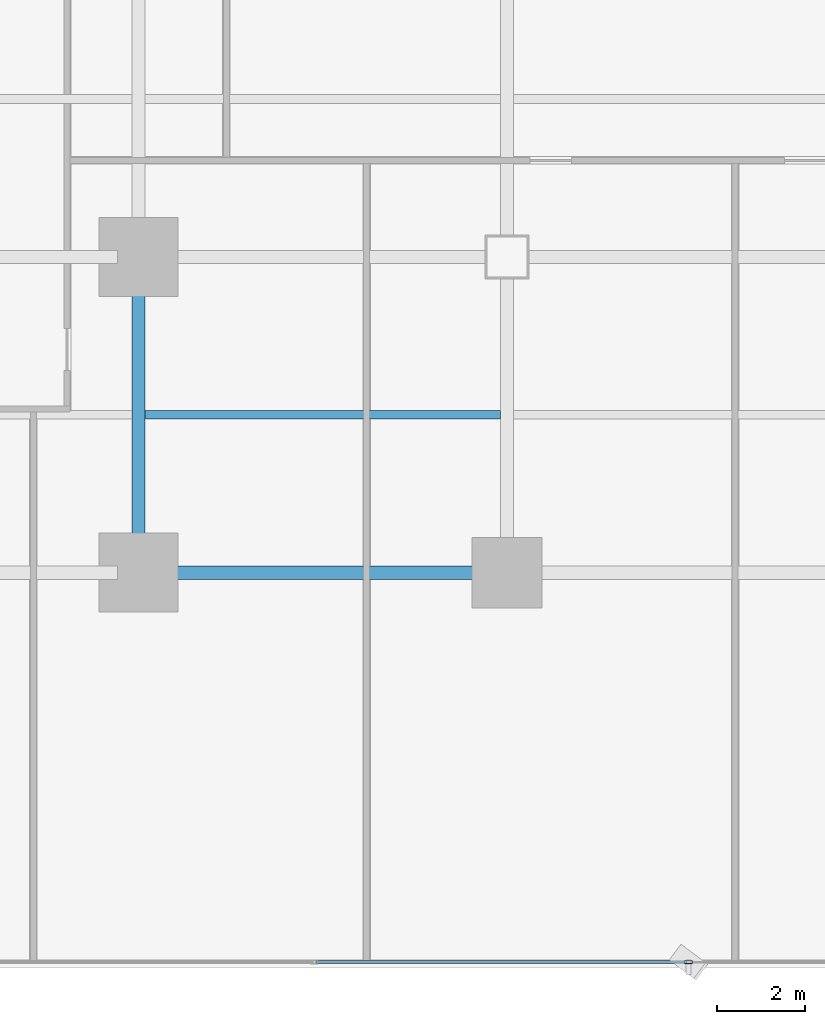
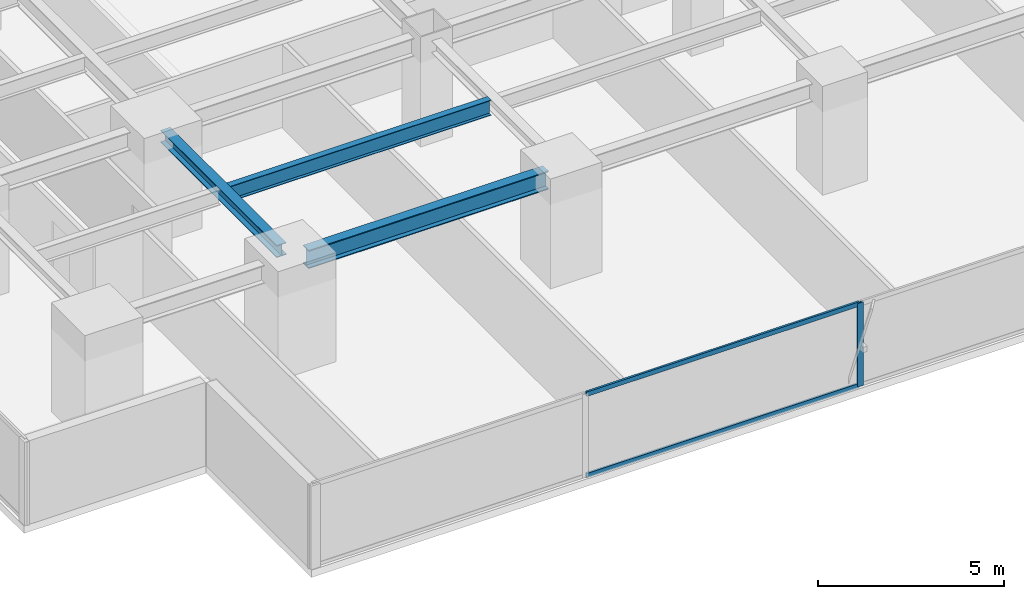
# One storey, part 4 of 34: 3 beams, 3 members, 1 element without a shape of its own.
"""IFC4 building model written with IfcOpenShell, lengths in metres."""

import ifcopenshell
import ifcopenshell.guid

model = None  # the IFC model being written
_history = None  # IfcOwnerHistory: only IFC2X3 demands one
_inside = {}  # id of a spatial element -> (the spatial element, [elements in it])
_under = {}  # id of a project, library or spatial element -> (it, [spatial elements below it])
_declared = {}  # id of a project -> (the project, [libraries it declares])
_typed = {}  # id of a type object -> (the type object, [elements of that type])
_made_of = {}  # id of a material, layer set ... -> (it, [elements and type objects made of it])


def new_model(schema):
    """Start an empty IFC model of exactly this schema.

    Asked for "IFC4X3", IfcOpenShell would pick the latest addendum, in which some entities
    have other attributes; the version numbers below select the first issue.
    IFC2X3 requires an IfcOwnerHistory on every rooted entity: one is made here for all.
    """
    global model, _history
    if schema == "IFC4X3":
        model = ifcopenshell.file(schema_version=(4, 3, 0, 0))
    else:
        model = ifcopenshell.file(schema=schema)
    _inside.clear()
    _under.clear()
    _declared.clear()
    _typed.clear()
    _made_of.clear()
    _history = None
    if model.schema == "IFC2X3":
        org = make("IfcOrganization", Name="unknown")
        user = make(
            "IfcPersonAndOrganization",
            ThePerson=make("IfcPerson", FamilyName="unknown"),
            TheOrganization=org,
        )
        app = make(
            "IfcApplication",
            ApplicationDeveloper=org,
            Version="unknown",
            ApplicationFullName="unknown",
            ApplicationIdentifier="unknown",
        )
        _history = make(
            "IfcOwnerHistory",
            OwningUser=user,
            OwningApplication=app,
            ChangeAction="ADDED",
            CreationDate=0,
        )
    return model


def make(cls, **values):
    """One entity of the class cls with the attributes given. An attribute that is None is left unset."""
    return model.create_entity(
        cls, **{name: value for name, value in values.items() if value is not None}
    )


def rooted(cls, **values):
    """An entity with a GlobalId (a new one), such as an element, a storey or a relation."""
    return make(cls, GlobalId=ifcopenshell.guid.new(), OwnerHistory=_history, **values)


def si_unit(unit_type, name, prefix=None):
    """IfcSIUnit, for example si_unit("LENGTHUNIT", "METRE", prefix="MILLI")."""
    return make("IfcSIUnit", UnitType=unit_type, Prefix=prefix, Name=name)


def assignment(units):
    """IfcUnitAssignment: the units of a project."""
    return None if units is None else make("IfcUnitAssignment", Units=units)


def point(xyz):
    """IfcCartesianPoint."""
    return None if xyz is None else make("IfcCartesianPoint", Coordinates=xyz)


def direction(xyz):
    """IfcDirection."""
    return None if xyz is None else make("IfcDirection", DirectionRatios=xyz)


def frame(location, z_axis=None, x_axis=None):
    """IfcAxis2Placement3D, a coordinate frame: its origin and axes. An axis left out is left unset."""
    return make(
        "IfcAxis2Placement3D",
        Location=point(location),
        Axis=direction(z_axis),
        RefDirection=direction(x_axis),
    )


def frame_2d(location, x_axis=None):
    """IfcAxis2Placement2D, a coordinate frame in the plane: its origin and x axis."""
    return make(
        "IfcAxis2Placement2D", Location=point(location), RefDirection=direction(x_axis)
    )


def origin():
    """The frame at (0, 0, 0) with its axes left unset."""
    return frame((0.0, 0.0, 0.0))


def origin_2d():
    """The frame at (0, 0) in the plane with its x axis left unset."""
    return frame_2d((0.0, 0.0))


def place(relative_to, where):
    """IfcLocalPlacement: puts the frame where relative to a parent placement (None: the world)."""
    return make(
        "IfcLocalPlacement", PlacementRelTo=relative_to, RelativePlacement=where
    )


def context(
    kind, dimensions, precision=None, world=None, true_north=None, identifier=None
):
    """IfcGeometricRepresentationContext, for example the 3D "Model" context."""
    return make(
        "IfcGeometricRepresentationContext",
        ContextIdentifier=identifier,
        ContextType=kind,
        CoordinateSpaceDimension=dimensions,
        Precision=precision,
        WorldCoordinateSystem=world,
        TrueNorth=true_north,
    )


def subcontext(parent, identifier, kind, view, scale=None):
    """IfcGeometricRepresentationSubContext, for example "Body" below "Model"."""
    return make(
        "IfcGeometricRepresentationSubContext",
        ContextIdentifier=identifier,
        ContextType=kind,
        ParentContext=parent,
        TargetScale=scale,
        TargetView=view,
    )


def project(units=None, contexts=None):
    """IfcProject with its units and contexts."""
    return rooted(
        "IfcProject",
        Name="project",
        RepresentationContexts=contexts,
        UnitsInContext=assignment(units),
    )


def spatial(cls, under=None, at=None, **own):
    """A site, building, storey or space (cls), placed at a placement, below another one or the project."""
    s = rooted(cls, ObjectPlacement=at, **own)
    if under is not None:
        _under.setdefault(under.id(), (under, []))[1].append(s)
    return s


def profile(cls, at=None, kind="AREA", **sizes):
    """A parametric profile (cls). Its sizes go by their IFC names, for example OverallWidth=200.0."""
    return make(cls, ProfileType=kind, Position=at, **sizes)


def hollow_rectangle(**sizes):
    """IfcRectangleHollowProfileDef."""
    return profile("IfcRectangleHollowProfileDef", **sizes)


def i_section(**sizes):
    """IfcIShapeProfileDef."""
    return profile("IfcIShapeProfileDef", **sizes)


def extrude(swept, where, along, depth):
    """IfcExtrudedAreaSolid: the profile swept, set in the frame where, extruded along a direction by depth."""
    return make(
        "IfcExtrudedAreaSolid",
        SweptArea=swept,
        Position=where,
        ExtrudedDirection=direction(along),
        Depth=depth,
    )


def shape(context_of_items, identifier, shape_type, items):
    """IfcShapeRepresentation: the items that make up one representation, for example the "Body"."""
    return make(
        "IfcShapeRepresentation",
        ContextOfItems=context_of_items,
        RepresentationIdentifier=identifier,
        RepresentationType=shape_type,
        Items=items,
    )


def source(mapping_origin, context_of_items, identifier, shape_type, items):
    """IfcRepresentationMap: a shape defined once, which mapped items show again and again."""
    return make(
        "IfcRepresentationMap",
        MappingOrigin=mapping_origin,
        MappedRepresentation=shape(context_of_items, identifier, shape_type, items),
    )


def transform(
    local_origin,
    x_axis=None,
    y_axis=None,
    z_axis=None,
    scale=None,
    scale2=None,
    scale3=None,
    uniform=True,
):
    """IfcCartesianTransformationOperator3D, or its non-uniform kind. x_axis, y_axis, z_axis: its Axis1, 2, 3."""
    if uniform:
        return make(
            "IfcCartesianTransformationOperator3D",
            Axis1=direction(x_axis),
            Axis2=direction(y_axis),
            LocalOrigin=point(local_origin),
            Scale=scale,
            Axis3=direction(z_axis),
        )
    return make(
        "IfcCartesianTransformationOperator3DnonUniform",
        Axis1=direction(x_axis),
        Axis2=direction(y_axis),
        LocalOrigin=point(local_origin),
        Scale=scale,
        Axis3=direction(z_axis),
        Scale2=scale2,
        Scale3=scale3,
    )


def mapped(mapping_source, mapping_target):
    """IfcMappedItem: shows the shape of a source again, moved by a transform."""
    return make(
        "IfcMappedItem", MappingSource=mapping_source, MappingTarget=mapping_target
    )


def material(Name=None, Category=None):
    """IfcMaterial."""
    return make("IfcMaterial", Name=Name, Category=Category)


def layer(
    of_material, thickness, ventilated=None, Name=None, Category=None, Priority=None
):
    """IfcMaterialLayer: one layer of a wall or slab, of a material (None: an air gap)."""
    return make(
        "IfcMaterialLayer",
        Material=of_material,
        LayerThickness=thickness,
        IsVentilated=ventilated,
        Name=Name,
        Category=Category,
        Priority=Priority,
    )


def layer_set(layers, Name=None):
    """IfcMaterialLayerSet."""
    return make("IfcMaterialLayerSet", MaterialLayers=layers, LayerSetName=Name)


def material_profile(
    of_material, cross_section, Name=None, Category=None, Priority=None
):
    """IfcMaterialProfile: a cross section and its material."""
    return make(
        "IfcMaterialProfile",
        Name=Name,
        Material=of_material,
        Profile=cross_section,
        Priority=Priority,
        Category=Category,
    )


def profile_set(profiles, Name=None, composite=None):
    """IfcMaterialProfileSet."""
    return make(
        "IfcMaterialProfileSet",
        Name=Name,
        MaterialProfiles=profiles,
        CompositeProfile=composite,
    )


def made_of(thing, what):
    """Note that an element or type object is made of a material, layer set ...; save() writes the relation."""
    if what is not None:
        _made_of.setdefault(what.id(), (what, []))[1].append(thing)
    return thing


def type_object(cls, material=None, **own):
    """A type object (cls), such as IfcWallType, which elements share."""
    return made_of(rooted(cls, **own), material)


def element(
    cls,
    number,
    at=None,
    inside=None,
    cuts=None,
    type_object=None,
    material=None,
    context=None,
    identifier="Body",
    shape_type=None,
    held_by="IfcProductDefinitionShape",
    body=None,
    shapes=None,
    **own,
):
    """One element of the class cls, such as IfcWall. Its Tag is "e" and its number.

    at: its placement. inside: the storey or other place that contains it. cuts: it is an
    opening in that element (IfcRelVoidsElement). A single representation is given by context,
    identifier, shape_type and body (its items); several are given by shapes. held_by: the class
    of the entity that holds the representations. save() writes the other relations.
    """
    e = rooted(cls, Tag="e%d" % number, ObjectPlacement=at, **own)
    if body is not None:
        shapes = [shape(context, identifier, shape_type, body)]
    if shapes is not None:
        e.Representation = make(held_by, Representations=shapes)
    if inside is not None:
        _inside.setdefault(inside.id(), (inside, []))[1].append(e)
    if cuts is not None:
        rooted(
            "IfcRelVoidsElement", RelatingBuildingElement=cuts, RelatedOpeningElement=e
        )
    if type_object is not None:
        _typed.setdefault(type_object.id(), (type_object, []))[1].append(e)
    return made_of(e, material)


def aggregate(whole, parts):
    """IfcRelAggregates: a whole, such as a stair, and the parts it consists of."""
    return rooted("IfcRelAggregates", RelatingObject=whole, RelatedObjects=parts)


def save(model, path):
    """Write the relations noted so far, then the file.

    IfcRelAggregates (storeys below a building ...), IfcRelContainedInSpatialStructure (elements
    in a storey), IfcRelDefinesByType, IfcRelAssociatesMaterial and IfcRelDeclares: one each for
    every whole, place, type object, material and project.
    """
    for whole, parts in _under.values():
        aggregate(whole, parts)
    for where, things in _inside.values():
        rooted(
            "IfcRelContainedInSpatialStructure",
            RelatedElements=things,
            RelatingStructure=where,
        )
    for kind, things in _typed.values():
        rooted("IfcRelDefinesByType", RelatedObjects=things, RelatingType=kind)
    for what, things in _made_of.values():
        rooted("IfcRelAssociatesMaterial", RelatedObjects=things, RelatingMaterial=what)
    for by, libraries in _declared.values():
        rooted("IfcRelDeclares", RelatingContext=by, RelatedDefinitions=libraries)
    model.write(path)


model = new_model("IFC4")

# Units and contexts
model_context = context("Model", 3, precision=1e-05, world=origin(), true_north=direction((0.0, 1.0)))
body_context = subcontext(model_context, "Body", "Model", "MODEL_VIEW")
ifc_project = project(units=[si_unit("LENGTHUNIT", "METRE"), si_unit("AREAUNIT", "SQUARE_METRE"), si_unit("VOLUMEUNIT", "CUBIC_METRE"), si_unit("PLANEANGLEUNIT", "RADIAN"), si_unit("MASSUNIT", "GRAM", prefix="KILO")], contexts=[model_context])

# Site, building, storey
site_placement = place(None, origin())
site = spatial("IfcSite", under=ifc_project, at=site_placement, CompositionType="ELEMENT")
building_placement = place(site_placement, origin())
building = spatial("IfcBuilding", under=site, at=building_placement, Name="Sumidabori Civic Tower", CompositionType="ELEMENT")
storey_placement = place(building_placement, frame((0.0, 0.0, 41.60009765625)))
storey = spatial("IfcBuildingStorey", under=building, at=storey_placement, Name="L10", CompositionType="ELEMENT", Elevation=41.60009765625)

# Beams
ifc_material_1 = material(Name="Steel SN490", Category="steel")
ifc_material_profile_1 = material_profile(ifc_material_1, i_section(OverallWidth=0.300048828125, OverallDepth=0.60009765625, WebThickness=0.015380859375, FlangeThickness=0.030029296875, at=origin_2d()), Name="HE 600 B")
ifc_profile_set_1 = profile_set([ifc_material_profile_1], Name="Steel SN490")
beam_type_1 = type_object("IfcBeamType", Name="BM-GIRD-600", PredefinedType="BEAM", material=ifc_profile_set_1)
shared_shape_1 = source(origin(), body_context, "Body", "SweptSolid", [
    extrude(i_section(OverallWidth=0.300048828125, OverallDepth=0.60009765625, WebThickness=0.015380859375, FlangeThickness=0.030029296875, at=origin_2d()), origin(), (0.0, 0.0, 1.0), 7.440185546875),
])
beam_1_placement = place(storey_placement, frame((-16.320068359375, -18.0, 3.059814453125), z_axis=(1.0, 0.0, 0.0), x_axis=(0.0, 1.0, 0.0)))
element("IfcBeam", 1, at=beam_1_placement, inside=storey, type_object=beam_type_1, Name="Primary Girder L10 GX-02", PredefinedType="BEAM", context=body_context, shape_type="MappedRepresentation", body=[
    mapped(shared_shape_1, transform((0.0, 0.0, 0.0), x_axis=(1.0, 0.0, 0.0), y_axis=(0.0, 1.0, 0.0), z_axis=(0.0, 0.0, 1.0), scale=1.0)),
])
ifc_material_profile_2 = material_profile(ifc_material_1, i_section(OverallWidth=0.300048828125, OverallDepth=0.39990234375, WebThickness=0.013427734375, FlangeThickness=0.02392578125, at=origin_2d()), Name="HE 400 B")
ifc_profile_set_2 = profile_set([ifc_material_profile_2], Name="Steel SN490")
beam_type_2 = type_object("IfcBeamType", Name="BM-GIRD-400", PredefinedType="BEAM", material=ifc_profile_set_2)
shared_shape_2 = source(origin(), body_context, "Body", "SweptSolid", [
    extrude(i_section(OverallWidth=0.300048828125, OverallDepth=0.39990234375, WebThickness=0.013427734375, FlangeThickness=0.02392578125, at=origin_2d()), origin(), (0.0, 0.0, 1.0), 6.239990234375),
])
beam_2_placement = place(storey_placement, frame((-16.800048828125, -17.52001953125, 3.159912109375), z_axis=(0.0, 1.0, 0.0), x_axis=(-1.0, 0.0, 0.0)))
element("IfcBeam", 2, at=beam_2_placement, inside=storey, type_object=beam_type_2, Name="Primary Girder L10 GY-25", PredefinedType="BEAM", context=body_context, shape_type="MappedRepresentation", body=[
    mapped(shared_shape_2, transform((0.0, 0.0, 0.0), x_axis=(1.0, 0.0, 0.0), y_axis=(0.0, 1.0, 0.0), z_axis=(0.0, 0.0, 1.0), scale=1.0)),
])
ifc_material_profile_3 = material_profile(ifc_material_1, i_section(OverallWidth=0.199951171875, OverallDepth=0.5, WebThickness=0.01025390625, FlangeThickness=0.01611328125, at=origin_2d()), Name="IPE 500")
ifc_profile_set_3 = profile_set([ifc_material_profile_3], Name="Steel SN490")
beam_type_3 = type_object("IfcBeamType", Name="BM-JST-500", PredefinedType="JOIST", material=ifc_profile_set_3)
shared_shape_3 = source(origin(), body_context, "Body", "SweptSolid", [
    extrude(i_section(OverallWidth=0.199951171875, OverallDepth=0.5, WebThickness=0.01025390625, FlangeThickness=0.01611328125, at=origin_2d()), origin(), (0.0, 0.0, 1.0), 8.099853515625),
])
beam_3_placement = place(storey_placement, frame((-16.64990234375, -14.39990234375, 3.10986328125), z_axis=(1.0, 0.0, 0.0), x_axis=(0.0, 1.0, 0.0)))
element("IfcBeam", 3, at=beam_3_placement, inside=storey, type_object=beam_type_3, Name="South Bay Floor Joist L10 JSTS-61", PredefinedType="JOIST", context=body_context, shape_type="MappedRepresentation", body=[
    mapped(shared_shape_3, transform((0.0, 0.0, 0.0), x_axis=(1.0, 0.0, 0.0), y_axis=(0.0, 1.0, 0.0), z_axis=(0.0, 0.0, 1.0), scale=1.0)),
])

# Curtain wall, members
ifc_material_2 = material(Name="Anodised Bronze Aluminium AW-6063-T6", Category="aluminium")
ifc_layer = layer(ifc_material_2, 0.179931640625, Name="Anodised Bronze Aluminium AW-6063-T6")
ifc_layer_set = layer_set([ifc_layer], Name="Anodised Bronze Aluminium AW-6063-T6")
curtain_wall_type = type_object("IfcCurtainWallType", Name="CW-SYS-2", PredefinedType="NOTDEFINED", material=ifc_layer_set)
curtain_wall_placement = place(storey_placement, origin())
curtain_wall = element("IfcCurtainWall", 4, at=curtain_wall_placement, inside=storey, type_object=curtain_wall_type, Name="Curtain Wall CW:L10:R01", PredefinedType="NOTDEFINED")
ifc_material_profile_4 = material_profile(ifc_material_2, hollow_rectangle(XDim=0.070068359375, YDim=0.179931640625, WallThickness=0.006103515625, at=origin_2d()), Name="ALU MULLION 180x70")
ifc_profile_set_4 = profile_set([ifc_material_profile_4], Name="Anodised Bronze Aluminium AW-6063-T6")
member_type_1 = type_object("IfcMemberType", Name="CW-MUL-180", PredefinedType="MULLION", material=ifc_profile_set_4)
shared_shape_4 = source(origin(), body_context, "Body", "SweptSolid", [
    extrude(hollow_rectangle(XDim=0.070068359375, YDim=0.179931640625, WallThickness=0.006103515625, at=origin_2d()), origin(), (0.0, 0.0, 1.0), 2.739990234375),
])
member_1_placement = place(storey_placement, frame((-4.263916015625, -26.8798828125, 0.0), z_axis=(0.0, 0.0, 1.0), x_axis=(0.0, 1.0, 0.0)))
member_1 = element("IfcMember", 5, at=member_1_placement, type_object=member_type_1, Name="CW-2 mullion 3", PredefinedType="MULLION", context=body_context, shape_type="MappedRepresentation", body=[
    mapped(shared_shape_4, transform((0.0, 0.0, 0.0), x_axis=(1.0, 0.0, 0.0), y_axis=(0.0, 1.0, 0.0), z_axis=(0.0, 0.0, 1.0), scale=1.0)),
])
ifc_material_profile_5 = material_profile(ifc_material_2, hollow_rectangle(XDim=0.06494140625, YDim=0.14990234375, WallThickness=0.0048828125, at=origin_2d()), Name="ALU TRANSOM 150x65")
ifc_profile_set_5 = profile_set([ifc_material_profile_5], Name="Anodised Bronze Aluminium AW-6063-T6")
member_type_2 = type_object("IfcMemberType", Name="CW-TRN-150", PredefinedType="USERDEFINED", material=ifc_profile_set_5)
shared_shape_5 = source(origin(), body_context, "Body", "SweptSolid", [
    extrude(hollow_rectangle(XDim=0.06494140625, YDim=0.14990234375, WallThickness=0.0048828125, at=origin_2d()), origin(), (0.0, 0.0, 1.0), 8.4580078125),
])
member_2_placement = place(storey_placement, frame((-12.757080078125, -26.8798828125, 0.032470703125), z_axis=(1.0, 0.0, 0.0), x_axis=(0.0, 1.0, 0.0)))
member_2 = element("IfcMember", 6, at=member_2_placement, type_object=member_type_2, Name="CW-2 transom 2.1", ObjectType="TRANSOM", PredefinedType="USERDEFINED", context=body_context, shape_type="MappedRepresentation", body=[
    mapped(shared_shape_5, transform((0.0, 0.0, 0.0), x_axis=(1.0, 0.0, 0.0), y_axis=(0.0, 1.0, 0.0), z_axis=(0.0, 0.0, 1.0), scale=1.0)),
])
member_3_placement = place(storey_placement, frame((-12.757080078125, -26.8798828125, 2.70751953125), z_axis=(1.0, 0.0, 0.0), x_axis=(0.0, 1.0, 0.0)))
member_3 = element("IfcMember", 7, at=member_3_placement, type_object=member_type_2, Name="CW-2 transom 2.2", ObjectType="TRANSOM", PredefinedType="USERDEFINED", context=body_context, shape_type="MappedRepresentation", body=[
    mapped(shared_shape_5, transform((0.0, 0.0, 0.0), x_axis=(1.0, 0.0, 0.0), y_axis=(0.0, 1.0, 0.0), z_axis=(0.0, 0.0, 1.0), scale=1.0)),
])
aggregate(curtain_wall, [member_1, member_2, member_3])

save(model, "model.ifc")
